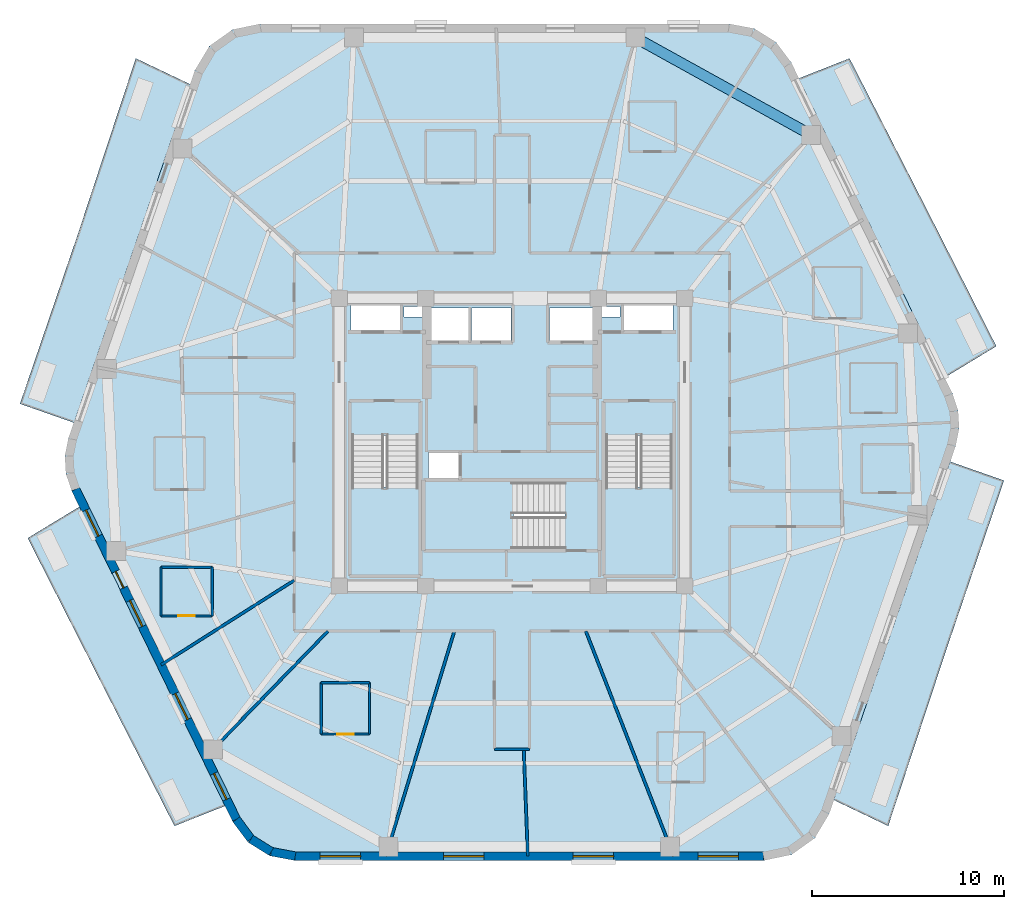
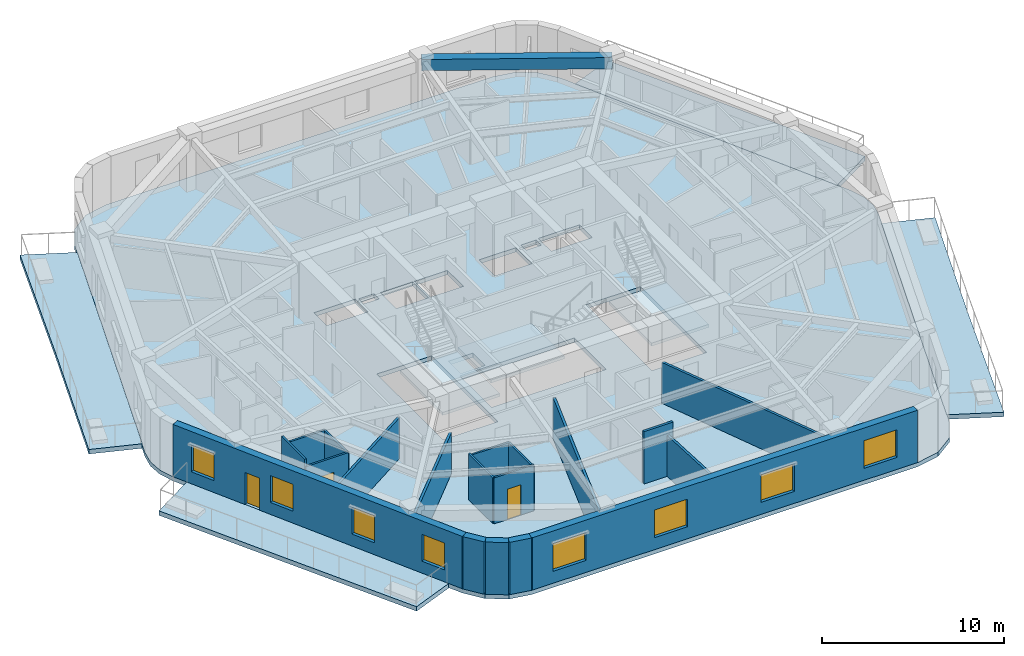
# One storey, part 2 of 10: 19 walls, 8 slabs, 8 windows, 3 doors, 1 beam, 11 openings, 3 elements without a shape of their own.
"""IFC4 building model written with IfcOpenShell, lengths in metres."""

from ifc_helpers import new_model, si_unit, direction, frame, frame_2d, origin, origin_2d, place, context, subcontext, project, spatial, polyline, rectangle, outline, extrude, material, layer, layer_set, material_profile, profile_set, type_object, element, fill, aggregate, save


model = new_model("IFC4")

# Units and contexts
model_context = context("Model", 3, precision=1e-05, world=origin(), true_north=direction((0.0, 1.0)))
body_context = subcontext(model_context, "Body", "Model", "MODEL_VIEW")
ifc_project = project(units=[si_unit("LENGTHUNIT", "METRE"), si_unit("AREAUNIT", "SQUARE_METRE"), si_unit("VOLUMEUNIT", "CUBIC_METRE"), si_unit("PLANEANGLEUNIT", "RADIAN"), si_unit("MASSUNIT", "GRAM", prefix="KILO")], contexts=[model_context])

# Site, building, storey
site_placement = place(None, origin())
site = spatial("IfcSite", under=ifc_project, at=site_placement, CompositionType="ELEMENT")
building_placement = place(site_placement, origin())
building = spatial("IfcBuilding", under=site, at=building_placement, Name="Kilnhurst Terrace Hotel", CompositionType="ELEMENT")
storey_placement = place(building_placement, frame((0.0, 0.0, 206.5)))
storey = spatial("IfcBuildingStorey", under=building, at=storey_placement, Name="L51", CompositionType="ELEMENT", Elevation=206.5)

# Beam
ifc_material_1 = material(Name="Concrete C50/60", Category="concrete")
ifc_material_profile = material_profile(ifc_material_1, rectangle(XDim=0.550048828125, YDim=0.75, at=origin_2d()), Name="RC550X750")
ifc_profile_set = profile_set([ifc_material_profile], Name="Concrete C50/60")
beam_type = type_object("IfcBeamType", Name="BM-SPN-550X750", PredefinedType="SPANDREL", material=ifc_profile_set)
beam_placement = place(storey_placement, frame((15.5869140625, 16.012939453125, 3.125), z_axis=(-0.874970333121, 0.484176534085, 0.0), x_axis=(-0.484176534085, -0.874970333121, 0.0)))
element("IfcBeam", 1, at=beam_placement, inside=storey, type_object=beam_type, Name="L51 Perimeter Spandrel Beam 6", PredefinedType="SPANDREL", context=body_context, shape_type="SweptSolid", body=[
    extrude(rectangle(XDim=0.550048828125, YDim=0.75, at=origin_2d()), origin(), (0.0, 0.0, 1.0), 10.465576171875),
])

# Slabs
ifc_layer_1 = layer(ifc_material_1, 0.300048828125, Name="Concrete C50/60")
ifc_layer_set_1 = layer_set([ifc_layer_1], Name="Concrete C50/60")
slab_type_1 = type_object("IfcSlabType", Name="SLB-BAL-300", PredefinedType="FLOOR", material=ifc_layer_set_1)
slab_1_placement = place(storey_placement, frame((0.0, 0.0, -0.300048828125)))
element("IfcSlab", 2, at=slab_1_placement, inside=storey, type_object=slab_type_1, Name="L51 Cantilevered Planted Terrace Slab BAL-L1A", PredefinedType="FLOOR", context=body_context, shape_type="SweptSolid", body=[
    extrude(outline(polyline([(22.650146484375, -10.76171875), (19.604736328125, -20.0), (16.75830078125, -18.64208984375), (22.8193359375, -1.010498046875), (25.638916015625, -2.0), (22.650146484375, -10.76171875)])), origin(), (0.0, 0.0, 1.0), 0.300048828125),
])
slab_2_placement = place(storey_placement, frame((0.0, 0.0, -0.300048828125)))
element("IfcSlab", 3, at=slab_2_placement, inside=storey, type_object=slab_type_1, Name="L51 Cantilevered Planted Terrace Slab BAL-L1B", PredefinedType="FLOOR", context=body_context, shape_type="SweptSolid", body=[
    extrude(outline(polyline([(25.237548828125, 5.0), (22.527587890625, 3.356201171875), (14.93505859375, 18.95068359375), (17.5888671875, 20.0), (21.440185546875, 12.465576171875), (25.237548828125, 5.0)])), origin(), (0.0, 0.0, 1.0), 0.300048828125),
])
slab_3_placement = place(storey_placement, frame((0.0, 0.0, -0.300048828125)))
element("IfcSlab", 4, at=slab_3_placement, inside=storey, type_object=slab_type_1, Name="L51 Cantilevered Planted Terrace Slab BAL-L2A", PredefinedType="FLOOR", context=body_context, shape_type="SweptSolid", body=[
    extrude(outline(polyline([(-19.604736328125, 20.0), (-16.75830078125, 18.64208984375), (-22.8193359375, 1.010498046875), (-25.638916015625, 2.0), (-22.650146484375, 10.76171875), (-19.604736328125, 20.0)])), origin(), (0.0, 0.0, 1.0), 0.300048828125),
])
slab_4_placement = place(storey_placement, frame((0.0, 0.0, -0.300048828125)))
element("IfcSlab", 5, at=slab_4_placement, inside=storey, type_object=slab_type_1, Name="L51 Cantilevered Planted Terrace Slab BAL-L2B", PredefinedType="FLOOR", context=body_context, shape_type="SweptSolid", body=[
    extrude(outline(polyline([(-25.237548828125, -5.0), (-22.527587890625, -3.356201171875), (-14.93505859375, -18.95068359375), (-17.5888671875, -20.0), (-21.440185546875, -12.465576171875), (-25.237548828125, -5.0)])), origin(), (0.0, 0.0, 1.0), 0.300048828125),
])
ifc_layer_2 = layer(ifc_material_1, 0.280029296875, Name="Concrete C50/60")
ifc_layer_set_2 = layer_set([ifc_layer_2], Name="Concrete C50/60")
slab_type_2 = type_object("IfcSlabType", Name="SLB-FLR-280", PredefinedType="FLOOR", material=ifc_layer_set_2)
slab_5_placement = place(storey_placement, frame((0.0, 0.0, -0.280029296875)))
element("IfcSlab", 6, at=slab_5_placement, inside=storey, type_object=slab_type_2, Name="L51 Structural Floor Slab", PredefinedType="FLOOR", context=body_context, shape_type="SweptSolid", body=[
    extrude(outline(polyline([(-14.555419921875, -19.77587890625), (-13.759765625, -20.845947265625), (-12.629150390625, -21.552978515625), (-11.318603515625, -21.800048828125), (13.124755859375, -21.800048828125), (14.5703125, -21.4970703125), (15.772705078125, -20.638916015625), (16.529296875, -19.370361328125), (23.1162109375, -0.208740234375), (23.302978515625, 0.710693359375), (23.24560546875, 1.6474609375), (22.948486328125, 2.537353515625), (14.555419921875, 19.77587890625), (13.759765625, 20.845947265625), (12.629150390625, 21.552978515625), (11.318603515625, 21.800048828125), (-13.124755859375, 21.800048828125), (-14.5703125, 21.4970703125), (-15.772705078125, 20.638916015625), (-16.529296875, 19.370361328125), (-23.1162109375, 0.208740234375), (-23.302978515625, -0.710693359375), (-23.24560546875, -1.6474609375), (-22.948486328125, -2.537353515625), (-14.555419921875, -19.77587890625)]), holes=[polyline([(-8.35009765625, 0.35498046875), (-4.8798828125, 0.35498046875), (-4.8798828125, -6.89990234375), (-8.35009765625, -6.89990234375), (-8.35009765625, 0.35498046875)]), polyline([(-2.800048828125, -1.89990234375), (-4.35009765625, -1.89990234375), (-4.35009765625, -0.550048828125), (-2.800048828125, -0.550048828125), (-2.800048828125, -1.89990234375)]), polyline([(-2.25, 5.25), (-4.300048828125, 5.25), (-4.300048828125, 7.0), (-2.25, 7.0), (-2.25, 5.25)]), polyline([(-2.1201171875, 5.25), (-2.1201171875, 7.0), (-0.050048828125, 7.0), (-0.050048828125, 5.25), (-2.1201171875, 5.25)]), polyline([(-8.39990234375, 5.75), (-8.39990234375, 7.14990234375), (-5.800048828125, 7.14990234375), (-5.800048828125, 5.75), (-8.39990234375, 5.75)]), polyline([(-4.659912109375, 6.52001953125), (-5.6201171875, 6.52001953125), (-5.6201171875, 7.080078125), (-4.659912109375, 7.080078125), (-4.659912109375, 6.52001953125)]), polyline([(2.7548828125, -5.550048828125), (-4.5, -5.550048828125), (-4.5, -2.080078125), (2.7548828125, -2.080078125), (2.7548828125, -5.550048828125)]), polyline([(8.35009765625, 0.35498046875), (8.35009765625, -6.89990234375), (4.8798828125, -6.89990234375), (4.8798828125, 0.35498046875), (8.35009765625, 0.35498046875)]), polyline([(4.300048828125, 5.25), (1.949951171875, 5.25), (1.949951171875, 7.0), (4.300048828125, 7.0), (4.300048828125, 5.25)]), polyline([(5.800048828125, 5.75), (5.800048828125, 7.14990234375), (8.39990234375, 7.14990234375), (8.39990234375, 5.75), (5.800048828125, 5.75)]), polyline([(4.659912109375, 6.52001953125), (4.659912109375, 7.080078125), (5.6201171875, 7.080078125), (5.6201171875, 6.52001953125), (4.659912109375, 6.52001953125)])]), origin(), (0.0, 0.0, 1.0), 0.280029296875),
])

# Stair, slab
stair_type = type_object("IfcStairType", Name="STR-CORE-1660", PredefinedType="HALF_TURN_STAIR", material=ifc_material_1)
stair_1_placement = place(storey_placement, origin())
stair_1 = element("IfcStair", 7, at=stair_1_placement, inside=storey, type_object=stair_type, Name="L51 ST-1", PredefinedType="HALF_TURN_STAIR")
ifc_layer_3 = layer(ifc_material_1, 0.199951171875, Name="Concrete C50/60")
ifc_layer_set_3 = layer_set([ifc_layer_3], Name="Concrete C50/60")
slab_type_3 = type_object("IfcSlabType", Name="SLB-ST-LND-200", PredefinedType="LANDING", material=ifc_layer_set_3)
slab_6_placement = place(storey_placement, frame((0.0, 0.0, 1.699951171875)))
slab_6 = element("IfcSlab", 8, at=slab_6_placement, type_object=slab_type_3, Name="ST-1 landing 1", PredefinedType="LANDING", context=body_context, shape_type="SweptSolid", body=[
    extrude(outline(polyline([(-8.429931640625, -2.330078125), (-4.800048828125, -2.330078125), (-4.800048828125, -6.97998046875), (-8.429931640625, -6.97998046875), (-8.429931640625, -2.330078125)])), origin(), (0.0, 0.0, 1.0), 0.199951171875),
])
aggregate(stair_1, [slab_6])

stair_2_placement = place(storey_placement, origin())
stair_2 = element("IfcStair", 9, at=stair_2_placement, inside=storey, type_object=stair_type, Name="L51 ST-2", PredefinedType="HALF_TURN_STAIR")
slab_7_placement = place(storey_placement, frame((0.0, 0.0, 1.699951171875)))
slab_7 = element("IfcSlab", 10, at=slab_7_placement, type_object=slab_type_3, Name="ST-2 landing 1", PredefinedType="LANDING", context=body_context, shape_type="SweptSolid", body=[
    extrude(outline(polyline([(4.800048828125, -2.330078125), (8.429931640625, -2.330078125), (8.429931640625, -6.97998046875), (4.800048828125, -6.97998046875), (4.800048828125, -2.330078125)])), origin(), (0.0, 0.0, 1.0), 0.199951171875),
])
aggregate(stair_2, [slab_7])

stair_3_placement = place(storey_placement, origin())
stair_3 = element("IfcStair", 11, at=stair_3_placement, inside=storey, type_object=stair_type, Name="L51 ST-3", PredefinedType="HALF_TURN_STAIR")
slab_8_placement = place(storey_placement, frame((0.0, 0.0, 1.699951171875)))
slab_8 = element("IfcSlab", 12, at=slab_8_placement, type_object=slab_type_3, Name="ST-3 landing 1", PredefinedType="LANDING", context=body_context, shape_type="SweptSolid", body=[
    extrude(outline(polyline([(0.070068359375, -2.0), (0.070068359375, -5.6298828125), (-4.580078125, -5.6298828125), (-4.580078125, -2.0), (0.070068359375, -2.0)])), origin(), (0.0, 0.0, 1.0), 0.199951171875),
])
aggregate(stair_3, [slab_8])

# Walls
ifc_material_2 = material(Name="Precast concrete C40/50", Category="concrete")
ifc_layer_4 = layer(ifc_material_2, 0.449951171875, Name="Precast concrete C40/50")
ifc_layer_set_4 = layer_set([ifc_layer_4], Name="Precast concrete C40/50")
wall_type_1 = type_object("IfcWallType", Name="WL-BRK-450", PredefinedType="SOLIDWALL", material=ifc_layer_set_4)
wall_1_placement = place(storey_placement, frame((-14.3623046875, -19.658447265625, 0.0), z_axis=(0.0, 0.0, 1.0), x_axis=(0.596642462792, -0.80250717853, 0.0)))
element("IfcWall", 13, at=wall_1_placement, inside=storey, type_object=wall_type_1, Name="L51 Rounded Corner Brick Wall C1.1", PredefinedType="SOLIDWALL", context=body_context, shape_type="SweptSolid", body=[
    extrude(rectangle(XDim=1.27001953125, YDim=0.449951171875, at=frame_2d((0.635009765625, 0.0))), origin(), (0.0, 0.0, 1.0), 3.5),
])
wall_2_placement = place(storey_placement, frame((-13.6044921875, -20.677734375, 0.0), z_axis=(0.0, 0.0, 1.0), x_axis=(0.847910404124, -0.53013955387, 0.0)))
element("IfcWall", 14, at=wall_2_placement, inside=storey, type_object=wall_type_1, Name="L51 Rounded Corner Brick Wall C1.2", PredefinedType="SOLIDWALL", context=body_context, shape_type="SweptSolid", body=[
    extrude(rectangle(XDim=1.24853515625, YDim=0.449951171875, at=frame_2d((0.624267578125, 0.0))), origin(), (0.0, 0.0, 1.0), 3.5),
])
wall_3_placement = place(storey_placement, frame((-12.5458984375, -21.339599609375, 0.0), z_axis=(0.0, 0.0, 1.0), x_axis=(0.982686750835, -0.18527479519, 0.0)))
element("IfcWall", 15, at=wall_3_placement, inside=storey, type_object=wall_type_1, Name="L51 Rounded Corner Brick Wall C1.3", PredefinedType="SOLIDWALL", context=body_context, shape_type="SweptSolid", body=[
    extrude(rectangle(XDim=1.270263671875, YDim=0.449951171875, at=frame_2d((0.63525390625, 0.0))), origin(), (0.0, 0.0, 1.0), 3.5),
])

# Wall, openings, windows
wall_4_placement = place(storey_placement, frame((-11.297607421875, -21.574951171875, 0.0), z_axis=(0.0, 0.0, 1.0), x_axis=(1.0, 0.0, 0.0)))
wall_4 = element("IfcWall", 16, at=wall_4_placement, inside=storey, type_object=wall_type_1, Name="L51 Exterior Brick Facade Wall F1", PredefinedType="SOLIDWALL", context=body_context, shape_type="SweptSolid", body=[
    extrude(rectangle(XDim=24.399169921875, YDim=0.449951171875, at=frame_2d((12.19970703125, 0.0))), origin(), (0.0, 0.0, 1.0), 3.5),
])
opening_1_placement = place(wall_4_placement, frame((1.303955078125, 0.0, 0.800048828125)))
opening_1 = element("IfcOpeningElement", 17, at=opening_1_placement, cuts=wall_4, Name="Opening W-04", PredefinedType="OPENING", context=body_context, shape_type="SweptSolid", body=[
    extrude(rectangle(XDim=2.10009765625, YDim=1.85009765625, at=frame_2d((1.050048828125, 0.925048828125))), frame((0.0, 0.23486328125, 0.0), z_axis=(0.0, -1.0, 0.0), x_axis=(1.0, 0.0, 0.0)), (0.0, 0.0, 1.0), 0.469970703125),
])
opening_2_placement = place(wall_4_placement, frame((7.735107421875, 0.0, 0.800048828125)))
opening_2 = element("IfcOpeningElement", 18, at=opening_2_placement, cuts=wall_4, Name="Opening W-04", PredefinedType="OPENING", context=body_context, shape_type="SweptSolid", body=[
    extrude(rectangle(XDim=2.10009765625, YDim=1.85009765625, at=frame_2d((1.050048828125, 0.925048828125))), frame((0.0, 0.23486328125, 0.0), z_axis=(0.0, -1.0, 0.0), x_axis=(1.0, 0.0, 0.0)), (0.0, 0.0, 1.0), 0.469970703125),
])
opening_3_placement = place(wall_4_placement, frame((14.488037109375, 0.0, 0.800048828125)))
opening_3 = element("IfcOpeningElement", 19, at=opening_3_placement, cuts=wall_4, Name="Opening W-04", PredefinedType="OPENING", context=body_context, shape_type="SweptSolid", body=[
    extrude(rectangle(XDim=2.10009765625, YDim=1.85009765625, at=frame_2d((1.050048828125, 0.925048828125))), frame((0.0, 0.23486328125, 0.0), z_axis=(0.0, -1.0, 0.0), x_axis=(1.0, 0.0, 0.0)), (0.0, 0.0, 1.0), 0.469970703125),
])
opening_4_placement = place(wall_4_placement, frame((20.99609375, 0.0, 0.800048828125)))
opening_4 = element("IfcOpeningElement", 20, at=opening_4_placement, cuts=wall_4, Name="Opening W-04", PredefinedType="OPENING", context=body_context, shape_type="SweptSolid", body=[
    extrude(rectangle(XDim=2.10009765625, YDim=1.85009765625, at=frame_2d((1.050048828125, 0.925048828125))), frame((0.0, 0.23486328125, 0.0), z_axis=(0.0, -1.0, 0.0), x_axis=(1.0, 0.0, 0.0)), (0.0, 0.0, 1.0), 0.469970703125),
])
ifc_material_3 = material(Name="Thermally Broken Bronze Aluminium Alloy 6063-T6 and Low-E Glass", Category="aluminium")
window_type_1 = type_object("IfcWindowType", Name="WIN-2100X1850", PartitioningType="SINGLE_PANEL", PredefinedType="WINDOW", material=ifc_material_3)
window_1_placement = place(opening_1_placement, origin())
window_1 = element("IfcWindow", 21, at=window_1_placement, inside=storey, type_object=window_type_1, Name="L51 Deep-Set Masonry Window F1.1", OverallHeight=1.85009765625, OverallWidth=2.10009765625, PartitioningType="SINGLE_PANEL", PredefinedType="WINDOW", context=body_context, shape_type="SweptSolid", body=[
    extrude(rectangle(XDim=2.10009765625, YDim=1.85009765625, at=frame_2d((1.050048828125, 0.925048828125))), frame((0.0, 0.030029296875, 0.0), z_axis=(0.0, -1.0, 0.0), x_axis=(1.0, 0.0, 0.0)), (0.0, 0.0, 1.0), 0.06005859375),
])
fill(opening_1, window_1)
window_2_placement = place(opening_2_placement, origin())
window_2 = element("IfcWindow", 22, at=window_2_placement, inside=storey, type_object=window_type_1, Name="L51 Deep-Set Masonry Window F1.2", OverallHeight=1.85009765625, OverallWidth=2.10009765625, PartitioningType="SINGLE_PANEL", PredefinedType="WINDOW", context=body_context, shape_type="SweptSolid", body=[
    extrude(rectangle(XDim=2.10009765625, YDim=1.85009765625, at=frame_2d((1.050048828125, 0.925048828125))), frame((0.0, 0.030029296875, 0.0), z_axis=(0.0, -1.0, 0.0), x_axis=(1.0, 0.0, 0.0)), (0.0, 0.0, 1.0), 0.06005859375),
])
fill(opening_2, window_2)
window_3_placement = place(opening_3_placement, origin())
window_3 = element("IfcWindow", 23, at=window_3_placement, inside=storey, type_object=window_type_1, Name="L51 Deep-Set Masonry Window F1.3", OverallHeight=1.85009765625, OverallWidth=2.10009765625, PartitioningType="SINGLE_PANEL", PredefinedType="WINDOW", context=body_context, shape_type="SweptSolid", body=[
    extrude(rectangle(XDim=2.10009765625, YDim=1.85009765625, at=frame_2d((1.050048828125, 0.925048828125))), frame((0.0, 0.030029296875, 0.0), z_axis=(0.0, -1.0, 0.0), x_axis=(1.0, 0.0, 0.0)), (0.0, 0.0, 1.0), 0.06005859375),
])
fill(opening_3, window_3)
window_4_placement = place(opening_4_placement, origin())
window_4 = element("IfcWindow", 24, at=window_4_placement, inside=storey, type_object=window_type_1, Name="L51 Deep-Set Masonry Window F1.4", OverallHeight=1.85009765625, OverallWidth=2.10009765625, PartitioningType="SINGLE_PANEL", PredefinedType="WINDOW", context=body_context, shape_type="SweptSolid", body=[
    extrude(rectangle(XDim=2.10009765625, YDim=1.85009765625, at=frame_2d((1.050048828125, 0.925048828125))), frame((0.0, 0.030029296875, 0.0), z_axis=(0.0, -1.0, 0.0), x_axis=(1.0, 0.0, 0.0)), (0.0, 0.0, 1.0), 0.06005859375),
])
fill(opening_4, window_4)

# Wall, openings, door, windows
wall_5_placement = place(storey_placement, frame((-22.73974609375, -2.4521484375, 0.0), z_axis=(0.0, 0.0, 1.0), x_axis=(0.437753424814, -0.899095066755, 0.0)))
wall_5 = element("IfcWall", 25, at=wall_5_placement, inside=storey, type_object=wall_type_1, Name="L51 Exterior Brick Facade Wall F6", PredefinedType="SOLIDWALL", context=body_context, shape_type="SweptSolid", body=[
    extrude(rectangle(XDim=19.137451171875, YDim=0.449951171875, at=frame_2d((9.56884765625, 0.0))), origin(), (0.0, 0.0, 1.0), 3.5),
])
opening_5_placement = place(wall_5_placement, frame((4.762939453125, 0.0, 0.0)))
opening_5 = element("IfcOpeningElement", 26, at=opening_5_placement, cuts=wall_5, Name="Opening BD-950", PredefinedType="OPENING", context=body_context, shape_type="SweptSolid", body=[
    extrude(rectangle(XDim=0.949951171875, YDim=2.14990234375, at=frame_2d((0.47509765625, 1.074951171875))), frame((0.0, 0.23486328125, 0.0), z_axis=(0.0, -1.0, 0.0), x_axis=(1.0, 0.0, 0.0)), (0.0, 0.0, 1.0), 0.469970703125),
])
opening_6_placement = place(wall_5_placement, frame((1.216064453125, 0.0, 0.800048828125)))
opening_6 = element("IfcOpeningElement", 27, at=opening_6_placement, cuts=wall_5, Name="Opening W-02", PredefinedType="OPENING", context=body_context, shape_type="SweptSolid", body=[
    extrude(rectangle(XDim=1.5, YDim=1.800048828125, at=frame_2d((0.75, 0.89990234375))), frame((0.0, 0.23486328125, 0.0), z_axis=(0.0, -1.0, 0.0), x_axis=(1.0, 0.0, 0.0)), (0.0, 0.0, 1.0), 0.469970703125),
])
opening_7_placement = place(wall_5_placement, frame((6.450927734375, 0.0, 0.800048828125)))
opening_7 = element("IfcOpeningElement", 28, at=opening_7_placement, cuts=wall_5, Name="Opening W-02", PredefinedType="OPENING", context=body_context, shape_type="SweptSolid", body=[
    extrude(rectangle(XDim=1.5, YDim=1.800048828125, at=frame_2d((0.75, 0.89990234375))), frame((0.0, 0.23486328125, 0.0), z_axis=(0.0, -1.0, 0.0), x_axis=(1.0, 0.0, 0.0)), (0.0, 0.0, 1.0), 0.469970703125),
])
opening_8_placement = place(wall_5_placement, frame((11.844970703125, 0.0, 0.800048828125)))
opening_8 = element("IfcOpeningElement", 29, at=opening_8_placement, cuts=wall_5, Name="Opening W-02", PredefinedType="OPENING", context=body_context, shape_type="SweptSolid", body=[
    extrude(rectangle(XDim=1.5, YDim=1.800048828125, at=frame_2d((0.75, 0.89990234375))), frame((0.0, 0.23486328125, 0.0), z_axis=(0.0, -1.0, 0.0), x_axis=(1.0, 0.0, 0.0)), (0.0, 0.0, 1.0), 0.469970703125),
])
opening_9_placement = place(wall_5_placement, frame((16.472900390625, 0.0, 0.800048828125)))
opening_9 = element("IfcOpeningElement", 30, at=opening_9_placement, cuts=wall_5, Name="Opening W-02", PredefinedType="OPENING", context=body_context, shape_type="SweptSolid", body=[
    extrude(rectangle(XDim=1.5, YDim=1.800048828125, at=frame_2d((0.75, 0.89990234375))), frame((0.0, 0.23486328125, 0.0), z_axis=(0.0, -1.0, 0.0), x_axis=(1.0, 0.0, 0.0)), (0.0, 0.0, 1.0), 0.469970703125),
])
ifc_material_4 = material(Name="Thermally Broken Bronze Aluminium Alloy 6063-T6 and Laminated Glass", Category="aluminium")
door_type_1 = type_object("IfcDoorType", Name="DR-EXT-BAL-950", OperationType="NOTDEFINED", PredefinedType="DOOR", material=ifc_material_4)
door_1_placement = place(opening_5_placement, origin())
door_1 = element("IfcDoor", 31, at=door_1_placement, inside=storey, type_object=door_type_1, Name="L51 Planted Balcony Door BAL-L2B", OperationType="SINGLE_SWING_RIGHT", OverallHeight=2.14990234375, OverallWidth=0.949951171875, PredefinedType="DOOR", context=body_context, shape_type="SweptSolid", body=[
    extrude(rectangle(XDim=0.949951171875, YDim=2.14990234375, at=frame_2d((0.47509765625, 1.074951171875))), frame((0.0, 0.02490234375, 0.0), z_axis=(0.0, -1.0, 0.0), x_axis=(1.0, 0.0, 0.0)), (0.0, 0.0, 1.0), 0.050048828125),
])
fill(opening_5, door_1)
window_type_2 = type_object("IfcWindowType", Name="WIN-1500X1800", PartitioningType="SINGLE_PANEL", PredefinedType="WINDOW", material=ifc_material_3)
window_5_placement = place(opening_6_placement, origin())
window_5 = element("IfcWindow", 32, at=window_5_placement, inside=storey, type_object=window_type_2, Name="L51 Deep-Set Masonry Window F6.1", OverallHeight=1.800048828125, OverallWidth=1.5, PartitioningType="SINGLE_PANEL", PredefinedType="WINDOW", context=body_context, shape_type="SweptSolid", body=[
    extrude(rectangle(XDim=1.5, YDim=1.800048828125, at=frame_2d((0.75, 0.89990234375))), frame((0.0, 0.030029296875, 0.0), z_axis=(0.0, -1.0, 0.0), x_axis=(1.0, 0.0, 0.0)), (0.0, 0.0, 1.0), 0.06005859375),
])
fill(opening_6, window_5)
window_6_placement = place(opening_7_placement, origin())
window_6 = element("IfcWindow", 33, at=window_6_placement, inside=storey, type_object=window_type_2, Name="L51 Deep-Set Masonry Window F6.2", OverallHeight=1.800048828125, OverallWidth=1.5, PartitioningType="SINGLE_PANEL", PredefinedType="WINDOW", context=body_context, shape_type="SweptSolid", body=[
    extrude(rectangle(XDim=1.5, YDim=1.800048828125, at=frame_2d((0.75, 0.89990234375))), frame((0.0, 0.030029296875, 0.0), z_axis=(0.0, -1.0, 0.0), x_axis=(1.0, 0.0, 0.0)), (0.0, 0.0, 1.0), 0.06005859375),
])
fill(opening_7, window_6)
window_7_placement = place(opening_8_placement, origin())
window_7 = element("IfcWindow", 34, at=window_7_placement, inside=storey, type_object=window_type_2, Name="L51 Deep-Set Masonry Window F6.3", OverallHeight=1.800048828125, OverallWidth=1.5, PartitioningType="SINGLE_PANEL", PredefinedType="WINDOW", context=body_context, shape_type="SweptSolid", body=[
    extrude(rectangle(XDim=1.5, YDim=1.800048828125, at=frame_2d((0.75, 0.89990234375))), frame((0.0, 0.030029296875, 0.0), z_axis=(0.0, -1.0, 0.0), x_axis=(1.0, 0.0, 0.0)), (0.0, 0.0, 1.0), 0.06005859375),
])
fill(opening_8, window_7)
window_8_placement = place(opening_9_placement, origin())
window_8 = element("IfcWindow", 35, at=window_8_placement, inside=storey, type_object=window_type_2, Name="L51 Deep-Set Masonry Window F6.4", OverallHeight=1.800048828125, OverallWidth=1.5, PartitioningType="SINGLE_PANEL", PredefinedType="WINDOW", context=body_context, shape_type="SweptSolid", body=[
    extrude(rectangle(XDim=1.5, YDim=1.800048828125, at=frame_2d((0.75, 0.89990234375))), frame((0.0, 0.030029296875, 0.0), z_axis=(0.0, -1.0, 0.0), x_axis=(1.0, 0.0, 0.0)), (0.0, 0.0, 1.0), 0.06005859375),
])
fill(opening_9, window_8)

# Walls
ifc_material_5 = material(Name="Acoustic Double-Gypsum Corridor Partition Assembly")
ifc_layer_5 = layer(ifc_material_5, 0.14990234375, Name="Acoustic Double-Gypsum Corridor Partition Assembly")
ifc_layer_set_5 = layer_set([ifc_layer_5], Name="Acoustic Double-Gypsum Corridor Partition Assembly")
wall_type_2 = type_object("IfcWallType", Name="WL-COR-150", PredefinedType="PARTITIONING", material=ifc_layer_set_5)
wall_6_placement = place(storey_placement, frame((0.919921875, -16.0, 0.0), z_axis=(0.0, 0.0, 1.0), x_axis=(-1.0, 0.0, 0.0)))
element("IfcWall", 36, at=wall_6_placement, inside=storey, type_object=wall_type_2, Name="L51 Interior Wall WL-L51-COR-18", PredefinedType="PARTITIONING", context=body_context, shape_type="SweptSolid", body=[
    extrude(rectangle(XDim=1.83984375, YDim=0.14990234375, at=frame_2d((0.919921875, 0.0))), origin(), (0.0, 0.0, 1.0), 3.5),
])
ifc_material_6 = material(Name="STC-58 Acoustic Twin-Frame Guestroom Demising Partition")
ifc_layer_6 = layer(ifc_material_6, 0.14990234375, Name="STC-58 Acoustic Twin-Frame Guestroom Demising Partition")
ifc_layer_set_6 = layer_set([ifc_layer_6], Name="STC-58 Acoustic Twin-Frame Guestroom Demising Partition")
wall_type_3 = type_object("IfcWallType", Name="WL-DEM-150", PredefinedType="PARTITIONING", material=ifc_layer_set_6)
wall_7_placement = place(storey_placement, frame((-11.35009765625, -7.2021484375, 0.0), z_axis=(0.0, 0.0, 1.0), x_axis=(-0.844364592263, -0.535769013039, 0.0)))
element("IfcWall", 37, at=wall_7_placement, inside=storey, type_object=wall_type_3, Name="L51 Interior Wall WL-L51-DEM-MID07-13-1", PredefinedType="PARTITIONING", context=body_context, shape_type="SweptSolid", body=[
    extrude(rectangle(XDim=8.212646484375, YDim=0.14990234375, at=frame_2d((4.1064453125, 0.0))), origin(), (0.0, 0.0, 1.0), 2.739990234375),
])
wall_8_placement = place(storey_placement, frame((-9.587890625, -9.85009765625, 0.0), z_axis=(0.0, 0.0, 1.0), x_axis=(-0.697519469595, -0.716565830567, 0.0)))
element("IfcWall", 38, at=wall_8_placement, inside=storey, type_object=wall_type_3, Name="L51 Interior Wall WL-L51-DEM-COL08-14-1", PredefinedType="PARTITIONING", context=body_context, shape_type="SweptSolid", body=[
    extrude(rectangle(XDim=9.12646484375, YDim=0.14990234375, at=frame_2d((4.563232421875, 0.0))), origin(), (0.0, 0.0, 1.0), 2.739990234375),
])
wall_9_placement = place(storey_placement, frame((-3.00439453125, -9.85009765625, 0.0), z_axis=(0.0, 0.0, 1.0), x_axis=(-0.291775760688, -0.956486751333, 0.0)))
element("IfcWall", 39, at=wall_9_placement, inside=storey, type_object=wall_type_3, Name="L51 Interior Wall WL-L51-DEM-COL09-15-1", PredefinedType="PARTITIONING", context=body_context, shape_type="SweptSolid", body=[
    extrude(rectangle(XDim=12.25830078125, YDim=0.14990234375, at=frame_2d((6.129150390625, 0.0))), origin(), (0.0, 0.0, 1.0), 2.739990234375),
])
wall_10_placement = place(storey_placement, frame((0.611572265625, -16.0, 0.0), z_axis=(0.0, 0.0, 1.0), x_axis=(0.038202877739, -0.999270003619, 0.0)))
element("IfcWall", 40, at=wall_10_placement, inside=storey, type_object=wall_type_3, Name="L51 Interior Wall WL-L51-DEM-MID09-16-1", PredefinedType="PARTITIONING", context=body_context, shape_type="SweptSolid", body=[
    extrude(rectangle(XDim=5.5791015625, YDim=0.14990234375, at=frame_2d((2.78955078125, 0.0))), origin(), (0.0, 0.0, 1.0), 2.739990234375),
])
wall_11_placement = place(storey_placement, frame((3.848388671875, -9.85009765625, 0.0), z_axis=(0.0, 0.0, 1.0), x_axis=(0.363921778212, -0.931429513889, 0.0)))
element("IfcWall", 41, at=wall_11_placement, inside=storey, type_object=wall_type_3, Name="L51 Interior Wall WL-L51-DEM-COL10-17-1", PredefinedType="PARTITIONING", context=body_context, shape_type="SweptSolid", body=[
    extrude(rectangle(XDim=12.588134765625, YDim=0.14990234375, at=frame_2d((6.2939453125, 0.0))), origin(), (0.0, 0.0, 1.0), 2.739990234375),
])

# Wall, opening, door
ifc_material_7 = material(Name="120 mm Moisture-Resistant Tile-Backed Bathroom Partition")
ifc_layer_7 = layer(ifc_material_7, 0.1201171875, Name="120 mm Moisture-Resistant Tile-Backed Bathroom Partition")
ifc_layer_set_7 = layer_set([ifc_layer_7], Name="120 mm Moisture-Resistant Tile-Backed Bathroom Partition")
wall_type_4 = type_object("IfcWallType", Name="WL-PART-120", PredefinedType="PARTITIONING", material=ifc_layer_set_7)
wall_12_placement = place(storey_placement, frame((-18.2958984375, -9.054931640625, 0.0), z_axis=(0.0, 0.0, 1.0), x_axis=(1.0, 0.0, 0.0)))
wall_12 = element("IfcWall", 42, at=wall_12_placement, inside=storey, type_object=wall_type_4, Name="L51 Interior Wall WL-L51-BTH-12-1", PredefinedType="PARTITIONING", context=body_context, shape_type="SweptSolid", body=[
    extrude(rectangle(XDim=2.679931640625, YDim=0.1201171875, at=frame_2d((1.33984375, 0.0))), origin(), (0.0, 0.0, 1.0), 3.026611328125),
])
opening_10_placement = place(wall_12_placement, frame((0.9150390625, 0.0, 0.0)))
opening_10 = element("IfcOpeningElement", 43, at=opening_10_placement, cuts=wall_12, Name="Opening D-08A", PredefinedType="OPENING", context=body_context, shape_type="SweptSolid", body=[
    extrude(rectangle(XDim=0.85009765625, YDim=2.030029296875, at=frame_2d((0.425048828125, 1.01513671875))), frame((0.0, 0.070068359375, 0.0), z_axis=(0.0, -1.0, 0.0), x_axis=(1.0, 0.0, 0.0)), (0.0, 0.0, 1.0), 0.14013671875),
])
ifc_material_8 = material(Name="Moisture-Resistant Lacquered En-suite Bathroom Door")
door_type_2 = type_object("IfcDoorType", Name="DR-INT-850", OperationType="NOTDEFINED", PredefinedType="DOOR", material=ifc_material_8)
door_2_placement = place(opening_10_placement, origin())
door_2 = element("IfcDoor", 44, at=door_2_placement, inside=storey, type_object=door_type_2, Name="L51 En-suite Bathroom Door 12", OperationType="SINGLE_SWING_LEFT", OverallHeight=2.030029296875, OverallWidth=0.85009765625, PredefinedType="DOOR", context=body_context, shape_type="SweptSolid", body=[
    extrude(rectangle(XDim=0.85009765625, YDim=2.030029296875, at=frame_2d((0.425048828125, 1.01513671875))), frame((0.0, 0.02490234375, 0.0), z_axis=(0.0, -1.0, 0.0), x_axis=(1.0, 0.0, 0.0)), (0.0, 0.0, 1.0), 0.050048828125),
])
fill(opening_10, door_2)

# Walls
wall_13_placement = place(storey_placement, frame((-15.615966796875, -9.054931640625, 0.0), z_axis=(0.0, 0.0, 1.0), x_axis=(0.0, 1.0, 0.0)))
element("IfcWall", 45, at=wall_13_placement, inside=storey, type_object=wall_type_4, Name="L51 Interior Wall WL-L51-BTH-12-2", PredefinedType="PARTITIONING", context=body_context, shape_type="SweptSolid", body=[
    extrude(rectangle(XDim=2.5400390625, YDim=0.1201171875, at=frame_2d((1.27001953125, 0.0))), origin(), (0.0, 0.0, 1.0), 2.989990234375),
])
wall_14_placement = place(storey_placement, frame((-15.615966796875, -6.514892578125, 0.0), z_axis=(0.0, 0.0, 1.0), x_axis=(-1.0, 0.0, 0.0)))
element("IfcWall", 46, at=wall_14_placement, inside=storey, type_object=wall_type_4, Name="L51 Interior Wall WL-L51-BTH-12-3", PredefinedType="PARTITIONING", context=body_context, shape_type="SweptSolid", body=[
    extrude(rectangle(XDim=2.679931640625, YDim=0.1201171875, at=frame_2d((1.33984375, 0.0))), origin(), (0.0, 0.0, 1.0), 2.989990234375),
])
wall_15_placement = place(storey_placement, frame((-18.2958984375, -6.514892578125, 0.0), z_axis=(0.0, 0.0, 1.0), x_axis=(0.0, -1.0, 0.0)))
element("IfcWall", 47, at=wall_15_placement, inside=storey, type_object=wall_type_4, Name="L51 Interior Wall WL-L51-BTH-12-4", PredefinedType="PARTITIONING", context=body_context, shape_type="SweptSolid", body=[
    extrude(rectangle(XDim=2.5400390625, YDim=0.1201171875, at=frame_2d((1.27001953125, 0.0))), origin(), (0.0, 0.0, 1.0), 3.5),
])

# Wall, opening, door
wall_16_placement = place(storey_placement, frame((-9.943115234375, -15.2119140625, 0.0), z_axis=(0.0, 0.0, 1.0), x_axis=(1.0, 0.0, 0.0)))
wall_16 = element("IfcWall", 48, at=wall_16_placement, inside=storey, type_object=wall_type_4, Name="L51 Interior Wall WL-L51-BTH-14-1", PredefinedType="PARTITIONING", context=body_context, shape_type="SweptSolid", body=[
    extrude(rectangle(XDim=2.52001953125, YDim=0.1201171875, at=frame_2d((1.260009765625, 0.0))), origin(), (0.0, 0.0, 1.0), 3.072509765625),
])
opening_11_placement = place(wall_16_placement, frame((0.8349609375, 0.0, 0.0)))
opening_11 = element("IfcOpeningElement", 49, at=opening_11_placement, cuts=wall_16, Name="Opening D-08A", PredefinedType="OPENING", context=body_context, shape_type="SweptSolid", body=[
    extrude(rectangle(XDim=0.85009765625, YDim=2.030029296875, at=frame_2d((0.425048828125, 1.01513671875))), frame((0.0, 0.070068359375, 0.0), z_axis=(0.0, -1.0, 0.0), x_axis=(1.0, 0.0, 0.0)), (0.0, 0.0, 1.0), 0.14013671875),
])
door_3_placement = place(opening_11_placement, origin())
door_3 = element("IfcDoor", 50, at=door_3_placement, inside=storey, type_object=door_type_2, Name="L51 En-suite Bathroom Door 14", OperationType="SINGLE_SWING_LEFT", OverallHeight=2.030029296875, OverallWidth=0.85009765625, PredefinedType="DOOR", context=body_context, shape_type="SweptSolid", body=[
    extrude(rectangle(XDim=0.85009765625, YDim=2.030029296875, at=frame_2d((0.425048828125, 1.01513671875))), frame((0.0, 0.02490234375, 0.0), z_axis=(0.0, -1.0, 0.0), x_axis=(1.0, 0.0, 0.0)), (0.0, 0.0, 1.0), 0.050048828125),
])
fill(opening_11, door_3)

# Walls
wall_17_placement = place(storey_placement, frame((-7.423095703125, -15.2119140625, 0.0), z_axis=(0.0, 0.0, 1.0), x_axis=(0.0, 1.0, 0.0)))
element("IfcWall", 51, at=wall_17_placement, inside=storey, type_object=wall_type_4, Name="L51 Interior Wall WL-L51-BTH-14-2", PredefinedType="PARTITIONING", context=body_context, shape_type="SweptSolid", body=[
    extrude(rectangle(XDim=2.679931640625, YDim=0.1201171875, at=frame_2d((1.33984375, 0.0))), origin(), (0.0, 0.0, 1.0), 2.9404296875),
])
wall_18_placement = place(storey_placement, frame((-7.423095703125, -12.531982421875, 0.0), z_axis=(0.0, 0.0, 1.0), x_axis=(-1.0, 0.0, 0.0)))
element("IfcWall", 52, at=wall_18_placement, inside=storey, type_object=wall_type_4, Name="L51 Interior Wall WL-L51-BTH-14-3", PredefinedType="PARTITIONING", context=body_context, shape_type="SweptSolid", body=[
    extrude(rectangle(XDim=2.52001953125, YDim=0.1201171875, at=frame_2d((1.260009765625, 0.0))), origin(), (0.0, 0.0, 1.0), 2.9404296875),
])
wall_19_placement = place(storey_placement, frame((-9.943115234375, -12.531982421875, 0.0), z_axis=(0.0, 0.0, 1.0), x_axis=(0.0, -1.0, 0.0)))
element("IfcWall", 53, at=wall_19_placement, inside=storey, type_object=wall_type_4, Name="L51 Interior Wall WL-L51-BTH-14-4", PredefinedType="PARTITIONING", context=body_context, shape_type="SweptSolid", body=[
    extrude(rectangle(XDim=2.679931640625, YDim=0.1201171875, at=frame_2d((1.33984375, 0.0))), origin(), (0.0, 0.0, 1.0), 3.072509765625),
])

save(model, "model.ifc")
